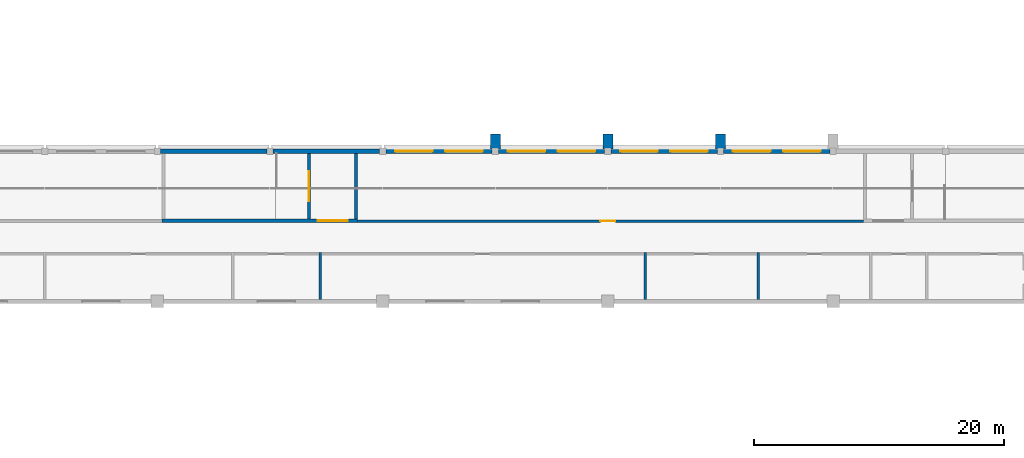
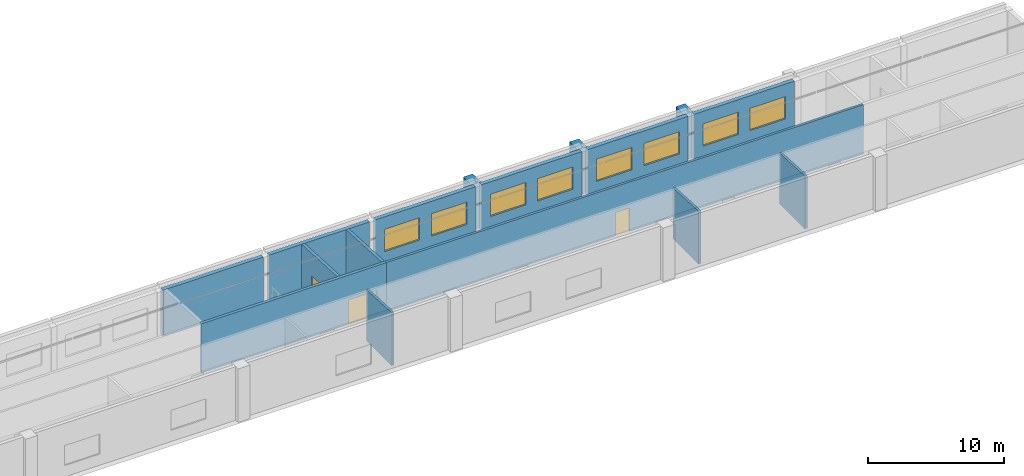
# One storey, part 141 of 182: 16 walls, 8 windows, 3 doors, 11 openings.
"""IFC4 building model written with IfcOpenShell, lengths in metres."""

import ifcopenshell
import ifcopenshell.guid

model = None  # the IFC model being written
_history = None  # IfcOwnerHistory: only IFC2X3 demands one
_inside = {}  # id of a spatial element -> (the spatial element, [elements in it])
_under = {}  # id of a project, library or spatial element -> (it, [spatial elements below it])
_declared = {}  # id of a project -> (the project, [libraries it declares])
_typed = {}  # id of a type object -> (the type object, [elements of that type])
_made_of = {}  # id of a material, layer set ... -> (it, [elements and type objects made of it])


def new_model(schema):
    """Start an empty IFC model of exactly this schema.

    Asked for "IFC4X3", IfcOpenShell would pick the latest addendum, in which some entities
    have other attributes; the version numbers below select the first issue.
    IFC2X3 requires an IfcOwnerHistory on every rooted entity: one is made here for all.
    """
    global model, _history
    if schema == "IFC4X3":
        model = ifcopenshell.file(schema_version=(4, 3, 0, 0))
    else:
        model = ifcopenshell.file(schema=schema)
    _inside.clear()
    _under.clear()
    _declared.clear()
    _typed.clear()
    _made_of.clear()
    _history = None
    if model.schema == "IFC2X3":
        org = make("IfcOrganization", Name="unknown")
        user = make(
            "IfcPersonAndOrganization",
            ThePerson=make("IfcPerson", FamilyName="unknown"),
            TheOrganization=org,
        )
        app = make(
            "IfcApplication",
            ApplicationDeveloper=org,
            Version="unknown",
            ApplicationFullName="unknown",
            ApplicationIdentifier="unknown",
        )
        _history = make(
            "IfcOwnerHistory",
            OwningUser=user,
            OwningApplication=app,
            ChangeAction="ADDED",
            CreationDate=0,
        )
    return model


def make(cls, **values):
    """One entity of the class cls with the attributes given. An attribute that is None is left unset."""
    return model.create_entity(
        cls, **{name: value for name, value in values.items() if value is not None}
    )


def rooted(cls, **values):
    """An entity with a GlobalId (a new one), such as an element, a storey or a relation."""
    return make(cls, GlobalId=ifcopenshell.guid.new(), OwnerHistory=_history, **values)


def si_unit(unit_type, name, prefix=None):
    """IfcSIUnit, for example si_unit("LENGTHUNIT", "METRE", prefix="MILLI")."""
    return make("IfcSIUnit", UnitType=unit_type, Prefix=prefix, Name=name)


def assignment(units):
    """IfcUnitAssignment: the units of a project."""
    return None if units is None else make("IfcUnitAssignment", Units=units)


def point(xyz):
    """IfcCartesianPoint."""
    return None if xyz is None else make("IfcCartesianPoint", Coordinates=xyz)


def direction(xyz):
    """IfcDirection."""
    return None if xyz is None else make("IfcDirection", DirectionRatios=xyz)


def frame(location, z_axis=None, x_axis=None):
    """IfcAxis2Placement3D, a coordinate frame: its origin and axes. An axis left out is left unset."""
    return make(
        "IfcAxis2Placement3D",
        Location=point(location),
        Axis=direction(z_axis),
        RefDirection=direction(x_axis),
    )


def frame_2d(location, x_axis=None):
    """IfcAxis2Placement2D, a coordinate frame in the plane: its origin and x axis."""
    return make(
        "IfcAxis2Placement2D", Location=point(location), RefDirection=direction(x_axis)
    )


def origin():
    """The frame at (0, 0, 0) with its axes left unset."""
    return frame((0.0, 0.0, 0.0))


def place(relative_to, where):
    """IfcLocalPlacement: puts the frame where relative to a parent placement (None: the world)."""
    return make(
        "IfcLocalPlacement", PlacementRelTo=relative_to, RelativePlacement=where
    )


def context(
    kind, dimensions, precision=None, world=None, true_north=None, identifier=None
):
    """IfcGeometricRepresentationContext, for example the 3D "Model" context."""
    return make(
        "IfcGeometricRepresentationContext",
        ContextIdentifier=identifier,
        ContextType=kind,
        CoordinateSpaceDimension=dimensions,
        Precision=precision,
        WorldCoordinateSystem=world,
        TrueNorth=true_north,
    )


def subcontext(parent, identifier, kind, view, scale=None):
    """IfcGeometricRepresentationSubContext, for example "Body" below "Model"."""
    return make(
        "IfcGeometricRepresentationSubContext",
        ContextIdentifier=identifier,
        ContextType=kind,
        ParentContext=parent,
        TargetScale=scale,
        TargetView=view,
    )


def project(units=None, contexts=None):
    """IfcProject with its units and contexts."""
    return rooted(
        "IfcProject",
        Name="project",
        RepresentationContexts=contexts,
        UnitsInContext=assignment(units),
    )


def spatial(cls, under=None, at=None, **own):
    """A site, building, storey or space (cls), placed at a placement, below another one or the project."""
    s = rooted(cls, ObjectPlacement=at, **own)
    if under is not None:
        _under.setdefault(under.id(), (under, []))[1].append(s)
    return s


def polyline(points):
    """IfcPolyline through the points."""
    return make("IfcPolyline", Points=[point(p) for p in points])


def profile(cls, at=None, kind="AREA", **sizes):
    """A parametric profile (cls). Its sizes go by their IFC names, for example OverallWidth=200.0."""
    return make(cls, ProfileType=kind, Position=at, **sizes)


def rectangle(**sizes):
    """IfcRectangleProfileDef."""
    return profile("IfcRectangleProfileDef", **sizes)


def outline(outer, holes=None, kind="AREA"):
    """IfcArbitraryClosedProfileDef: a profile drawn as a closed curve; with holes, ...WithVoids."""
    if holes is None:
        return make("IfcArbitraryClosedProfileDef", ProfileType=kind, OuterCurve=outer)
    return make(
        "IfcArbitraryProfileDefWithVoids",
        ProfileType=kind,
        OuterCurve=outer,
        InnerCurves=holes,
    )


def extrude(swept, where, along, depth):
    """IfcExtrudedAreaSolid: the profile swept, set in the frame where, extruded along a direction by depth."""
    return make(
        "IfcExtrudedAreaSolid",
        SweptArea=swept,
        Position=where,
        ExtrudedDirection=direction(along),
        Depth=depth,
    )


def shape(context_of_items, identifier, shape_type, items):
    """IfcShapeRepresentation: the items that make up one representation, for example the "Body"."""
    return make(
        "IfcShapeRepresentation",
        ContextOfItems=context_of_items,
        RepresentationIdentifier=identifier,
        RepresentationType=shape_type,
        Items=items,
    )


def material(Name=None, Category=None):
    """IfcMaterial."""
    return make("IfcMaterial", Name=Name, Category=Category)


def layer(
    of_material, thickness, ventilated=None, Name=None, Category=None, Priority=None
):
    """IfcMaterialLayer: one layer of a wall or slab, of a material (None: an air gap)."""
    return make(
        "IfcMaterialLayer",
        Material=of_material,
        LayerThickness=thickness,
        IsVentilated=ventilated,
        Name=Name,
        Category=Category,
        Priority=Priority,
    )


def layer_set(layers, Name=None):
    """IfcMaterialLayerSet."""
    return make("IfcMaterialLayerSet", MaterialLayers=layers, LayerSetName=Name)


def made_of(thing, what):
    """Note that an element or type object is made of a material, layer set ...; save() writes the relation."""
    if what is not None:
        _made_of.setdefault(what.id(), (what, []))[1].append(thing)
    return thing


def type_object(cls, material=None, **own):
    """A type object (cls), such as IfcWallType, which elements share."""
    return made_of(rooted(cls, **own), material)


def element(
    cls,
    number,
    at=None,
    inside=None,
    cuts=None,
    type_object=None,
    material=None,
    context=None,
    identifier="Body",
    shape_type=None,
    held_by="IfcProductDefinitionShape",
    body=None,
    shapes=None,
    **own,
):
    """One element of the class cls, such as IfcWall. Its Tag is "e" and its number.

    at: its placement. inside: the storey or other place that contains it. cuts: it is an
    opening in that element (IfcRelVoidsElement). A single representation is given by context,
    identifier, shape_type and body (its items); several are given by shapes. held_by: the class
    of the entity that holds the representations. save() writes the other relations.
    """
    e = rooted(cls, Tag="e%d" % number, ObjectPlacement=at, **own)
    if body is not None:
        shapes = [shape(context, identifier, shape_type, body)]
    if shapes is not None:
        e.Representation = make(held_by, Representations=shapes)
    if inside is not None:
        _inside.setdefault(inside.id(), (inside, []))[1].append(e)
    if cuts is not None:
        rooted(
            "IfcRelVoidsElement", RelatingBuildingElement=cuts, RelatedOpeningElement=e
        )
    if type_object is not None:
        _typed.setdefault(type_object.id(), (type_object, []))[1].append(e)
    return made_of(e, material)


def fill(opening, filler):
    """IfcRelFillsElement: the door or window that sits in an opening."""
    return rooted(
        "IfcRelFillsElement",
        RelatingOpeningElement=opening,
        RelatedBuildingElement=filler,
    )


def aggregate(whole, parts):
    """IfcRelAggregates: a whole, such as a stair, and the parts it consists of."""
    return rooted("IfcRelAggregates", RelatingObject=whole, RelatedObjects=parts)


def save(model, path):
    """Write the relations noted so far, then the file.

    IfcRelAggregates (storeys below a building ...), IfcRelContainedInSpatialStructure (elements
    in a storey), IfcRelDefinesByType, IfcRelAssociatesMaterial and IfcRelDeclares: one each for
    every whole, place, type object, material and project.
    """
    for whole, parts in _under.values():
        aggregate(whole, parts)
    for where, things in _inside.values():
        rooted(
            "IfcRelContainedInSpatialStructure",
            RelatedElements=things,
            RelatingStructure=where,
        )
    for kind, things in _typed.values():
        rooted("IfcRelDefinesByType", RelatedObjects=things, RelatingType=kind)
    for what, things in _made_of.values():
        rooted("IfcRelAssociatesMaterial", RelatedObjects=things, RelatingMaterial=what)
    for by, libraries in _declared.values():
        rooted("IfcRelDeclares", RelatingContext=by, RelatedDefinitions=libraries)
    model.write(path)


model = new_model("IFC4")

# Units and contexts
model_context = context("Model", 3, precision=1e-05, world=origin(), true_north=direction((0.0, 1.0)))
body_context = subcontext(model_context, "Body", "Model", "MODEL_VIEW")
ifc_project = project(units=[si_unit("LENGTHUNIT", "METRE"), si_unit("AREAUNIT", "SQUARE_METRE"), si_unit("VOLUMEUNIT", "CUBIC_METRE"), si_unit("PLANEANGLEUNIT", "RADIAN"), si_unit("MASSUNIT", "GRAM", prefix="KILO")], contexts=[model_context])

# Site, building, storey
site_placement = place(None, origin())
site = spatial("IfcSite", under=ifc_project, at=site_placement, CompositionType="ELEMENT")
building_placement = place(site_placement, origin())
building = spatial("IfcBuilding", under=site, at=building_placement, Name="Okhra Congress Centre", CompositionType="ELEMENT")
storey_placement = place(building_placement, frame((0.0, 0.0, 7.199951171875)))
storey = spatial("IfcBuildingStorey", under=building, at=storey_placement, Name="L01", CompositionType="ELEMENT", Elevation=7.199951171875)

# Walls
ifc_material_1 = material(Name="Double gypsum board on steel studs with mineral wool", Category="steel")
ifc_layer_1 = layer(ifc_material_1, 0.199951171875)
ifc_layer_set_1 = layer_set([ifc_layer_1], Name="Acoustic partition 200")
wall_type_1 = type_object("IfcWallType", Name="Acoustic partition 200", PredefinedType="PARTITIONING", material=ifc_layer_set_1)
for number, where, z_axis, x_axis, name in (
    (1, (95.0, 216.14990234375, 0.0), (0.0, 0.0, 1.0), (0.0, 1.0, 0.0), "EH.WALL.L01.71"),
    (2, (121.0, 216.14990234375, 0.0), (0.0, 0.0, 1.0), (0.0, 1.0, 0.0), "EH.WALL.L01.72"),
    (3, (130.0, 216.14990234375, 0.0), (0.0, 0.0, 1.0), (0.0, 1.0, 0.0), "EH.WALL.L01.73"),
):
    element("IfcWall", number, at=place(storey_placement, frame(where, z_axis=z_axis, x_axis=x_axis)), inside=storey, type_object=wall_type_1, Name=name, PredefinedType="PARTITIONING", context=body_context, shape_type="SweptSolid", body=[
        extrude(outline(polyline([(0.0, 0.0), (3.75, 0.0), (3.75, 4.54052734375), (0.0, 4.737060546875), (0.0, 0.0)])), frame((0.0, 0.10009765625, 0.0), z_axis=(0.0, -1.0, 0.0), x_axis=(1.0, 0.0, 0.0)), (0.0, 0.0, 1.0), 0.199951171875),
    ])

# Wall, opening, door
wall_1_placement = place(storey_placement, frame((98.0, 222.425048828125, 0.0), z_axis=(0.0, 0.0, 1.0), x_axis=(1.0, 0.0, 0.0)))
wall_1 = element("IfcWall", 4, at=wall_1_placement, inside=storey, type_object=wall_type_1, Name="EH.WALL.L01.77", PredefinedType="PARTITIONING", context=body_context, shape_type="SweptSolid", body=[
    extrude(rectangle(XDim=40.425048828125, YDim=0.199951171875, at=frame_2d((20.21240234375, 0.0))), origin(), (0.0, 0.0, 1.0), 4.407958984375),
])
opening_1_placement = place(wall_1_placement, frame((19.39990234375, 0.0, 0.0)))
opening_1 = element("IfcOpeningElement", 5, at=opening_1_placement, cuts=wall_1, Name="Opening L01-019", PredefinedType="OPENING", context=body_context, shape_type="SweptSolid", body=[
    extrude(rectangle(XDim=1.199951171875, YDim=2.10009765625, at=frame_2d((0.60009765625, 1.050048828125))), frame((0.0, 0.10986328125, 0.0), z_axis=(0.0, -1.0, 0.0), x_axis=(1.0, 0.0, 0.0)), (0.0, 0.0, 1.0), 0.219970703125),
])
ifc_material_2 = material(Name="Timber door leaf in steel frame", Category="steel")
door_type_1 = type_object("IfcDoorType", Name="Single swing door 1200x2100", OperationType="NOTDEFINED", PredefinedType="DOOR", material=ifc_material_2)
door_1_placement = place(opening_1_placement, origin())
door_1 = element("IfcDoor", 6, at=door_1_placement, inside=storey, type_object=door_type_1, Name="Door L01-019", OperationType="SINGLE_SWING_LEFT", OverallHeight=2.10009765625, OverallWidth=1.199951171875, PredefinedType="DOOR", context=body_context, shape_type="SweptSolid", body=[
    extrude(rectangle(XDim=1.199951171875, YDim=2.10009765625, at=frame_2d((0.60009765625, 1.050048828125))), frame((0.0, 0.02490234375, 0.0), z_axis=(0.0, -1.0, 0.0), x_axis=(1.0, 0.0, 0.0)), (0.0, 0.0, 1.0), 0.050048828125),
])
fill(opening_1, door_1)

# Walls
ifc_material_3 = material(Name="Concrete C35/45", Category="concrete")
ifc_layer_2 = layer(ifc_material_3, 0.800048828125)
ifc_layer_set_2 = layer_set([ifc_layer_2], Name="Buttress fin 800 REI 120 C35/45")
wall_type_2 = type_object("IfcWallType", Name="Buttress fin 800 REI 120 C35/45", PredefinedType="SOLIDWALL", material=ifc_layer_set_2)
for number, where, z_axis, x_axis, name in (
    (7, (109.0, 228.169921875, 0.0), (0.0, 0.0, 1.0), (0.0, 1.0, 0.0), "EH.WALL.L01.60"),
    (8, (118.0, 228.169921875, 0.0), (0.0, 0.0, 1.0), (0.0, 1.0, 0.0), "EH.WALL.L01.61"),
    (9, (127.0, 228.169921875, 0.0), (0.0, 0.0, 1.0), (0.0, 1.0, 0.0), "EH.WALL.L01.62"),
):
    element("IfcWall", number, at=place(storey_placement, frame(where, z_axis=z_axis, x_axis=x_axis)), inside=storey, type_object=wall_type_2, Name=name, PredefinedType="SOLIDWALL", context=body_context, shape_type="SweptSolid", body=[
        extrude(rectangle(XDim=1.205078125, YDim=0.800048828125, at=frame_2d((0.6025390625, 0.0))), origin(), (0.0, 0.0, 1.0), 4.10009765625),
    ])

# Wall, openings, windows
ifc_material_4 = material(Name="Insulated metal sandwich panel (mineral wool core)")
ifc_layer_3 = layer(ifc_material_4, 0.35009765625)
ifc_layer_set_3 = layer_set([ifc_layer_3], Name="Insulated wall panel 350")
wall_type_3 = type_object("IfcWallType", Name="Insulated wall panel 350", PredefinedType="SOLIDWALL", material=ifc_layer_set_3)
wall_2_placement = place(storey_placement, frame((100.25, 228.0, 0.0), z_axis=(0.0, 0.0, 1.0), x_axis=(1.0, 0.0, 0.0)))
wall_2 = element("IfcWall", 10, at=wall_2_placement, inside=storey, type_object=wall_type_3, Name="EH.WALL.L01.41", PredefinedType="SOLIDWALL", context=body_context, shape_type="SweptSolid", body=[
    extrude(rectangle(XDim=8.5, YDim=0.35009765625, at=frame_2d((4.25, 0.0))), origin(), (0.0, 0.0, 1.0), 4.112060546875),
])
opening_2_placement = place(wall_2_placement, frame((0.75, 0.0, 1.0)))
opening_2 = element("IfcOpeningElement", 11, at=opening_2_placement, cuts=wall_2, Name="Opening WN9", PredefinedType="OPENING", context=body_context, shape_type="SweptSolid", body=[
    extrude(rectangle(XDim=3.0, YDim=2.0, at=frame_2d((1.5, 1.0))), frame((0.0, 0.18505859375, 0.0), z_axis=(0.0, -1.0, 0.0), x_axis=(1.0, 0.0, 0.0)), (0.0, 0.0, 1.0), 0.3701171875),
])
opening_3_placement = place(wall_2_placement, frame((4.75, 0.0, 1.0)))
opening_3 = element("IfcOpeningElement", 12, at=opening_3_placement, cuts=wall_2, Name="Opening WN9", PredefinedType="OPENING", context=body_context, shape_type="SweptSolid", body=[
    extrude(rectangle(XDim=3.0, YDim=2.0, at=frame_2d((1.5, 1.0))), frame((0.0, 0.18505859375, 0.0), z_axis=(0.0, -1.0, 0.0), x_axis=(1.0, 0.0, 0.0)), (0.0, 0.0, 1.0), 0.3701171875),
])
ifc_material_5 = material(Name="Thermally broken aluminium frame, triple glazing", Category="aluminium")
window_type = type_object("IfcWindowType", Name="Fixed window 3000x2000", PartitioningType="SINGLE_PANEL", PredefinedType="WINDOW", material=ifc_material_5)
window_1_placement = place(opening_2_placement, origin())
window_1 = element("IfcWindow", 13, at=window_1_placement, inside=storey, type_object=window_type, Name="EH.WIN.L01.54", OverallHeight=2.0, OverallWidth=3.0, PartitioningType="SINGLE_PANEL", PredefinedType="WINDOW", context=body_context, shape_type="SweptSolid", body=[
    extrude(rectangle(XDim=3.0, YDim=2.0, at=frame_2d((1.5, 1.0))), frame((0.0, 0.030029296875, 0.0), z_axis=(0.0, -1.0, 0.0), x_axis=(1.0, 0.0, 0.0)), (0.0, 0.0, 1.0), 0.06005859375),
])
fill(opening_2, window_1)
window_2_placement = place(opening_3_placement, origin())
window_2 = element("IfcWindow", 14, at=window_2_placement, inside=storey, type_object=window_type, Name="EH.WIN.L01.55", OverallHeight=2.0, OverallWidth=3.0, PartitioningType="SINGLE_PANEL", PredefinedType="WINDOW", context=body_context, shape_type="SweptSolid", body=[
    extrude(rectangle(XDim=3.0, YDim=2.0, at=frame_2d((1.5, 1.0))), frame((0.0, 0.030029296875, 0.0), z_axis=(0.0, -1.0, 0.0), x_axis=(1.0, 0.0, 0.0)), (0.0, 0.0, 1.0), 0.06005859375),
])
fill(opening_3, window_2)

wall_3_placement = place(storey_placement, frame((109.25, 228.0, 0.0), z_axis=(0.0, 0.0, 1.0), x_axis=(1.0, 0.0, 0.0)))
wall_3 = element("IfcWall", 15, at=wall_3_placement, inside=storey, type_object=wall_type_3, Name="EH.WALL.L01.42", PredefinedType="SOLIDWALL", context=body_context, shape_type="SweptSolid", body=[
    extrude(rectangle(XDim=8.5, YDim=0.35009765625, at=frame_2d((4.25, 0.0))), origin(), (0.0, 0.0, 1.0), 4.112060546875),
])
opening_4_placement = place(wall_3_placement, frame((0.75, 0.0, 1.0)))
opening_4 = element("IfcOpeningElement", 16, at=opening_4_placement, cuts=wall_3, Name="Opening WN9", PredefinedType="OPENING", context=body_context, shape_type="SweptSolid", body=[
    extrude(rectangle(XDim=3.0, YDim=2.0, at=frame_2d((1.5, 1.0))), frame((0.0, 0.18505859375, 0.0), z_axis=(0.0, -1.0, 0.0), x_axis=(1.0, 0.0, 0.0)), (0.0, 0.0, 1.0), 0.3701171875),
])
opening_5_placement = place(wall_3_placement, frame((4.75, 0.0, 1.0)))
opening_5 = element("IfcOpeningElement", 17, at=opening_5_placement, cuts=wall_3, Name="Opening WN9", PredefinedType="OPENING", context=body_context, shape_type="SweptSolid", body=[
    extrude(rectangle(XDim=3.0, YDim=2.0, at=frame_2d((1.5, 1.0))), frame((0.0, 0.18505859375, 0.0), z_axis=(0.0, -1.0, 0.0), x_axis=(1.0, 0.0, 0.0)), (0.0, 0.0, 1.0), 0.3701171875),
])
window_3_placement = place(opening_4_placement, origin())
window_3 = element("IfcWindow", 18, at=window_3_placement, inside=storey, type_object=window_type, Name="EH.WIN.L01.56", OverallHeight=2.0, OverallWidth=3.0, PartitioningType="SINGLE_PANEL", PredefinedType="WINDOW", context=body_context, shape_type="SweptSolid", body=[
    extrude(rectangle(XDim=3.0, YDim=2.0, at=frame_2d((1.5, 1.0))), frame((0.0, 0.030029296875, 0.0), z_axis=(0.0, -1.0, 0.0), x_axis=(1.0, 0.0, 0.0)), (0.0, 0.0, 1.0), 0.06005859375),
])
fill(opening_4, window_3)
window_4_placement = place(opening_5_placement, origin())
window_4 = element("IfcWindow", 19, at=window_4_placement, inside=storey, type_object=window_type, Name="EH.WIN.L01.57", OverallHeight=2.0, OverallWidth=3.0, PartitioningType="SINGLE_PANEL", PredefinedType="WINDOW", context=body_context, shape_type="SweptSolid", body=[
    extrude(rectangle(XDim=3.0, YDim=2.0, at=frame_2d((1.5, 1.0))), frame((0.0, 0.030029296875, 0.0), z_axis=(0.0, -1.0, 0.0), x_axis=(1.0, 0.0, 0.0)), (0.0, 0.0, 1.0), 0.06005859375),
])
fill(opening_5, window_4)

wall_4_placement = place(storey_placement, frame((118.25, 228.0, 0.0), z_axis=(0.0, 0.0, 1.0), x_axis=(1.0, 0.0, 0.0)))
wall_4 = element("IfcWall", 20, at=wall_4_placement, inside=storey, type_object=wall_type_3, Name="EH.WALL.L01.43", PredefinedType="SOLIDWALL", context=body_context, shape_type="SweptSolid", body=[
    extrude(rectangle(XDim=8.5, YDim=0.35009765625, at=frame_2d((4.25, 0.0))), origin(), (0.0, 0.0, 1.0), 4.112060546875),
])
opening_6_placement = place(wall_4_placement, frame((0.75, 0.0, 1.0)))
opening_6 = element("IfcOpeningElement", 21, at=opening_6_placement, cuts=wall_4, Name="Opening WN9", PredefinedType="OPENING", context=body_context, shape_type="SweptSolid", body=[
    extrude(rectangle(XDim=3.0, YDim=2.0, at=frame_2d((1.5, 1.0))), frame((0.0, 0.18505859375, 0.0), z_axis=(0.0, -1.0, 0.0), x_axis=(1.0, 0.0, 0.0)), (0.0, 0.0, 1.0), 0.3701171875),
])
opening_7_placement = place(wall_4_placement, frame((4.75, 0.0, 1.0)))
opening_7 = element("IfcOpeningElement", 22, at=opening_7_placement, cuts=wall_4, Name="Opening WN9", PredefinedType="OPENING", context=body_context, shape_type="SweptSolid", body=[
    extrude(rectangle(XDim=3.0, YDim=2.0, at=frame_2d((1.5, 1.0))), frame((0.0, 0.18505859375, 0.0), z_axis=(0.0, -1.0, 0.0), x_axis=(1.0, 0.0, 0.0)), (0.0, 0.0, 1.0), 0.3701171875),
])
window_5_placement = place(opening_6_placement, origin())
window_5 = element("IfcWindow", 23, at=window_5_placement, inside=storey, type_object=window_type, Name="EH.WIN.L01.58", OverallHeight=2.0, OverallWidth=3.0, PartitioningType="SINGLE_PANEL", PredefinedType="WINDOW", context=body_context, shape_type="SweptSolid", body=[
    extrude(rectangle(XDim=3.0, YDim=2.0, at=frame_2d((1.5, 1.0))), frame((0.0, 0.030029296875, 0.0), z_axis=(0.0, -1.0, 0.0), x_axis=(1.0, 0.0, 0.0)), (0.0, 0.0, 1.0), 0.06005859375),
])
fill(opening_6, window_5)
window_6_placement = place(opening_7_placement, origin())
window_6 = element("IfcWindow", 24, at=window_6_placement, inside=storey, type_object=window_type, Name="EH.WIN.L01.59", OverallHeight=2.0, OverallWidth=3.0, PartitioningType="SINGLE_PANEL", PredefinedType="WINDOW", context=body_context, shape_type="SweptSolid", body=[
    extrude(rectangle(XDim=3.0, YDim=2.0, at=frame_2d((1.5, 1.0))), frame((0.0, 0.030029296875, 0.0), z_axis=(0.0, -1.0, 0.0), x_axis=(1.0, 0.0, 0.0)), (0.0, 0.0, 1.0), 0.06005859375),
])
fill(opening_7, window_6)

wall_5_placement = place(storey_placement, frame((127.25, 228.0, 0.0), z_axis=(0.0, 0.0, 1.0), x_axis=(1.0, 0.0, 0.0)))
wall_5 = element("IfcWall", 25, at=wall_5_placement, inside=storey, type_object=wall_type_3, Name="EH.WALL.L01.44", PredefinedType="SOLIDWALL", context=body_context, shape_type="SweptSolid", body=[
    extrude(rectangle(XDim=8.5, YDim=0.35009765625, at=frame_2d((4.25, 0.0))), origin(), (0.0, 0.0, 1.0), 4.112060546875),
])
opening_8_placement = place(wall_5_placement, frame((0.75, 0.0, 1.0)))
opening_8 = element("IfcOpeningElement", 26, at=opening_8_placement, cuts=wall_5, Name="Opening WN9", PredefinedType="OPENING", context=body_context, shape_type="SweptSolid", body=[
    extrude(rectangle(XDim=3.0, YDim=2.0, at=frame_2d((1.5, 1.0))), frame((0.0, 0.18505859375, 0.0), z_axis=(0.0, -1.0, 0.0), x_axis=(1.0, 0.0, 0.0)), (0.0, 0.0, 1.0), 0.3701171875),
])
opening_9_placement = place(wall_5_placement, frame((4.75, 0.0, 1.0)))
opening_9 = element("IfcOpeningElement", 27, at=opening_9_placement, cuts=wall_5, Name="Opening WN9", PredefinedType="OPENING", context=body_context, shape_type="SweptSolid", body=[
    extrude(rectangle(XDim=3.0, YDim=2.0, at=frame_2d((1.5, 1.0))), frame((0.0, 0.18505859375, 0.0), z_axis=(0.0, -1.0, 0.0), x_axis=(1.0, 0.0, 0.0)), (0.0, 0.0, 1.0), 0.3701171875),
])
window_7_placement = place(opening_8_placement, origin())
window_7 = element("IfcWindow", 28, at=window_7_placement, inside=storey, type_object=window_type, Name="EH.WIN.L01.60", OverallHeight=2.0, OverallWidth=3.0, PartitioningType="SINGLE_PANEL", PredefinedType="WINDOW", context=body_context, shape_type="SweptSolid", body=[
    extrude(rectangle(XDim=3.0, YDim=2.0, at=frame_2d((1.5, 1.0))), frame((0.0, 0.030029296875, 0.0), z_axis=(0.0, -1.0, 0.0), x_axis=(1.0, 0.0, 0.0)), (0.0, 0.0, 1.0), 0.06005859375),
])
fill(opening_8, window_7)
window_8_placement = place(opening_9_placement, origin())
window_8 = element("IfcWindow", 29, at=window_8_placement, inside=storey, type_object=window_type, Name="EH.WIN.L01.61", OverallHeight=2.0, OverallWidth=3.0, PartitioningType="SINGLE_PANEL", PredefinedType="WINDOW", context=body_context, shape_type="SweptSolid", body=[
    extrude(rectangle(XDim=3.0, YDim=2.0, at=frame_2d((1.5, 1.0))), frame((0.0, 0.030029296875, 0.0), z_axis=(0.0, -1.0, 0.0), x_axis=(1.0, 0.0, 0.0)), (0.0, 0.0, 1.0), 0.06005859375),
])
fill(opening_9, window_8)

# Wall, opening, door
ifc_material_6 = material(Name="Concrete C30/37", Category="concrete")
ifc_layer_4 = layer(ifc_material_6, 0.25)
ifc_layer_set_4 = layer_set([ifc_layer_4], Name="RC wall 250 REI 120 C30/37")
wall_type_4 = type_object("IfcWallType", Name="RC wall 250 REI 120 C30/37", PredefinedType="SOLIDWALL", material=ifc_layer_set_4)
wall_6_placement = place(storey_placement, frame((82.35009765625, 222.449951171875, 0.0), z_axis=(0.0, 0.0, 1.0), x_axis=(1.0, 0.0, 0.0)))
wall_6 = element("IfcWall", 30, at=wall_6_placement, inside=storey, type_object=wall_type_4, Name="EH.WALL.L01.50", PredefinedType="SOLIDWALL", context=body_context, shape_type="SweptSolid", body=[
    extrude(rectangle(XDim=15.64990234375, YDim=0.25, at=frame_2d((7.824951171875, 0.0))), origin(), (0.0, 0.0, 1.0), 4.405517578125),
])
opening_10_placement = place(wall_6_placement, frame((12.449951171875, 0.0, 0.0)))
opening_10 = element("IfcOpeningElement", 31, at=opening_10_placement, cuts=wall_6, Name="Opening L01-003", PredefinedType="OPENING", context=body_context, shape_type="SweptSolid", body=[
    extrude(rectangle(XDim=2.39990234375, YDim=2.199951171875, at=frame_2d((1.199951171875, 1.10009765625))), frame((0.0, 0.135009765625, 0.0), z_axis=(0.0, -1.0, 0.0), x_axis=(1.0, 0.0, 0.0)), (0.0, 0.0, 1.0), 0.27001953125),
])
ifc_material_7 = material(Name="Steel fire door leaves in steel frame, intumescent seals", Category="steel")
door_type_2 = type_object("IfcDoorType", Name="Steel fire door pair 2400x2200 EI 30", OperationType="NOTDEFINED", PredefinedType="DOOR", material=ifc_material_7)
door_2_placement = place(opening_10_placement, origin())
door_2 = element("IfcDoor", 32, at=door_2_placement, inside=storey, type_object=door_type_2, Name="Door L01-003", OperationType="DOUBLE_DOOR_SINGLE_SWING", OverallHeight=2.199951171875, OverallWidth=2.39990234375, PredefinedType="DOOR", context=body_context, shape_type="SweptSolid", body=[
    extrude(rectangle(XDim=2.39990234375, YDim=2.199951171875, at=frame_2d((1.199951171875, 1.10009765625))), frame((0.0, 0.02490234375, 0.0), z_axis=(0.0, -1.0, 0.0), x_axis=(1.0, 0.0, 0.0)), (0.0, 0.0, 1.0), 0.050048828125),
])
fill(opening_10, door_2)

wall_7_placement = place(storey_placement, frame((94.125, 222.574951171875, 0.0), z_axis=(0.0, 0.0, 1.0), x_axis=(0.0, 1.0, 0.0)))
wall_7 = element("IfcWall", 33, at=wall_7_placement, inside=storey, type_object=wall_type_4, Name="EH.WALL.L01.51", PredefinedType="SOLIDWALL", context=body_context, shape_type="SweptSolid", body=[
    extrude(outline(polyline([(0.0, 0.0), (5.25, 0.0), (5.25, 4.123779296875), (0.0, 4.39892578125), (0.0, 0.0)])), frame((0.0, 0.125, 0.0), z_axis=(0.0, -1.0, 0.0), x_axis=(1.0, 0.0, 0.0)), (0.0, 0.0, 1.0), 0.25),
])
opening_11_placement = place(wall_7_placement, frame((1.425048828125, 0.0, 0.0)))
opening_11 = element("IfcOpeningElement", 34, at=opening_11_placement, cuts=wall_7, Name="Opening L01-004", PredefinedType="OPENING", context=body_context, shape_type="SweptSolid", body=[
    extrude(rectangle(XDim=2.39990234375, YDim=2.199951171875, at=frame_2d((1.199951171875, 1.10009765625))), frame((0.0, 0.135009765625, 0.0), z_axis=(0.0, -1.0, 0.0), x_axis=(1.0, 0.0, 0.0)), (0.0, 0.0, 1.0), 0.27001953125),
])
door_3_placement = place(opening_11_placement, frame((2.39990234375, 0.0, 0.0), z_axis=(0.0, 0.0, 1.0), x_axis=(-1.0, 0.0, 0.0)))
door_3 = element("IfcDoor", 35, at=door_3_placement, inside=storey, type_object=door_type_2, Name="Door L01-004", OperationType="DOUBLE_DOOR_SINGLE_SWING", OverallHeight=2.199951171875, OverallWidth=2.39990234375, PredefinedType="DOOR", context=body_context, shape_type="SweptSolid", body=[
    extrude(rectangle(XDim=2.39990234375, YDim=2.199951171875, at=frame_2d((1.199951171875, 1.10009765625))), frame((0.0, 0.02490234375, 0.0), z_axis=(0.0, -1.0, 0.0), x_axis=(1.0, 0.0, 0.0)), (0.0, 0.0, 1.0), 0.050048828125),
])
fill(opening_11, door_3)

# Walls
wall_8_placement = place(storey_placement, frame((97.875, 222.574951171875, 0.0), z_axis=(0.0, 0.0, 1.0), x_axis=(0.0, 1.0, 0.0)))
element("IfcWall", 36, at=wall_8_placement, inside=storey, type_object=wall_type_4, Name="EH.WALL.L01.53", PredefinedType="SOLIDWALL", context=body_context, shape_type="SweptSolid", body=[
    extrude(outline(polyline([(0.0, 0.0), (5.25, 0.0), (5.25, 4.123779296875), (0.0, 4.39892578125), (0.0, 0.0)])), frame((0.0, 0.125, 0.0), z_axis=(0.0, -1.0, 0.0), x_axis=(1.0, 0.0, 0.0)), (0.0, 0.0, 1.0), 0.25),
])
ifc_layer_5 = layer(ifc_material_6, 0.35009765625)
ifc_layer_set_5 = layer_set([ifc_layer_5], Name="RC wall 350 REI 120 C30/37")
wall_type_5 = type_object("IfcWallType", Name="RC wall 350 REI 120 C30/37", PredefinedType="SOLIDWALL", material=ifc_layer_set_5)
for number, where, z_axis, x_axis, name in (
    (37, (82.25, 228.0, 0.0), (0.0, 0.0, 1.0), (1.0, 0.0, 0.0), "EH.WALL.L01.39"),
    (38, (91.25, 228.0, 0.0), (0.0, 0.0, 1.0), (1.0, 0.0, 0.0), "EH.WALL.L01.40"),
):
    element("IfcWall", number, at=place(storey_placement, frame(where, z_axis=z_axis, x_axis=x_axis)), inside=storey, type_object=wall_type_5, Name=name, PredefinedType="SOLIDWALL", context=body_context, shape_type="SweptSolid", body=[
        extrude(rectangle(XDim=8.5, YDim=0.35009765625, at=frame_2d((4.25, 0.0))), origin(), (0.0, 0.0, 1.0), 4.112060546875),
    ])

save(model, "model.ifc")
